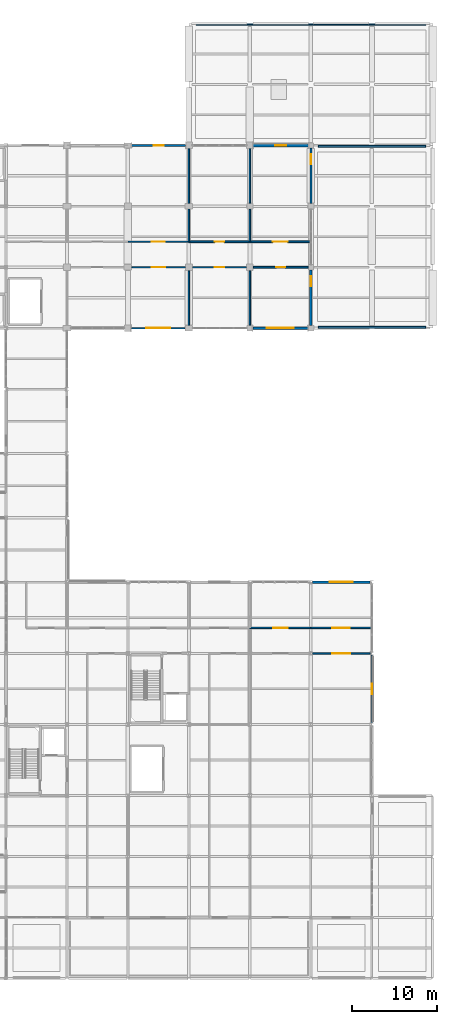
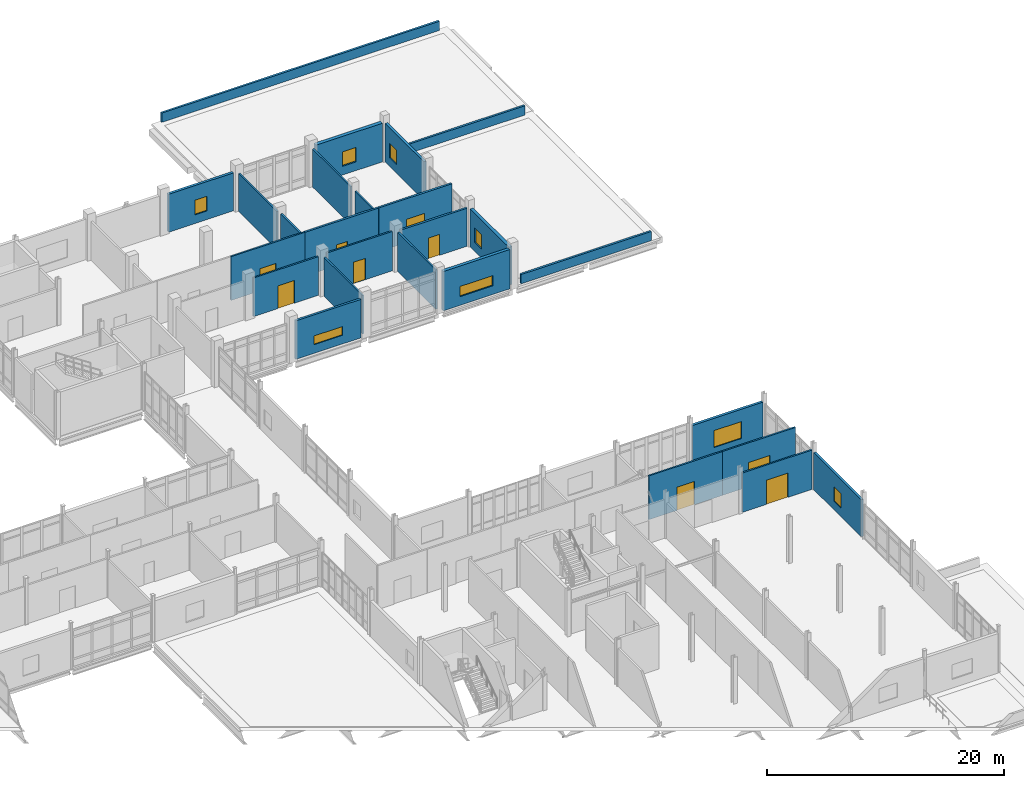
# One storey, part 168 of 186: 26 walls, 9 doors, 8 windows, 17 openings.
"""IFC4 building model written with IfcOpenShell, lengths in metres."""

from ifc_helpers import new_model, si_unit, direction, frame, frame_2d, origin, place, context, subcontext, project, spatial, rectangle, extrude, material, layer, layer_set, type_object, element, fill, save


model = new_model("IFC4")

# Units and contexts
model_context = context("Model", 3, precision=1e-05, world=origin(), true_north=direction((0.0, 1.0)))
body_context = subcontext(model_context, "Body", "Model", "MODEL_VIEW")
ifc_project = project(units=[si_unit("LENGTHUNIT", "METRE"), si_unit("AREAUNIT", "SQUARE_METRE"), si_unit("VOLUMEUNIT", "CUBIC_METRE"), si_unit("PLANEANGLEUNIT", "RADIAN"), si_unit("MASSUNIT", "GRAM", prefix="KILO")], contexts=[model_context])

# Site, building, storey
site_placement = place(None, origin())
site = spatial("IfcSite", under=ifc_project, at=site_placement, CompositionType="ELEMENT")
building_placement = place(site_placement, origin())
building = spatial("IfcBuilding", under=site, at=building_placement, Name="Calvrana Isthmian Art Gallery", CompositionType="ELEMENT")
storey_placement = place(building_placement, frame((0.0, 0.0, 5.39990234375)))
storey = spatial("IfcBuildingStorey", under=building, at=storey_placement, Name="L01", CompositionType="ELEMENT", Elevation=5.39990234375)

# Wall, opening, window
ifc_material_1 = material(Name="Precast concrete C40/50", Category="concrete")
ifc_layer_1 = layer(ifc_material_1, 0.219970703125, Name="Precast concrete C40/50")
ifc_layer_set_1 = layer_set([ifc_layer_1], Name="Precast concrete C40/50")
wall_type_1 = type_object("IfcWallType", Name="EW-ACOUST-220", PredefinedType="SOLIDWALL", material=ifc_layer_set_1)
wall_1_placement = place(storey_placement, frame((133.949951171875, 76.800048828125, 0.0), z_axis=(0.0, 0.0, 1.0), x_axis=(-1.0, 0.0, 0.0)))
wall_1 = element("IfcWall", 1, at=wall_1_placement, inside=storey, type_object=wall_type_1, Name="Exterior wall EW-078", PredefinedType="SOLIDWALL", context=body_context, shape_type="SweptSolid", body=[
    extrude(rectangle(XDim=6.349853515625, YDim=0.219970703125, at=frame_2d((3.1748046875, 0.0))), origin(), (0.0, 0.0, 1.0), 3.97119140625),
])
opening_1_placement = place(wall_1_placement, frame((1.77490234375, 0.0, 0.89990234375)))
opening_1 = element("IfcOpeningElement", 2, at=opening_1_placement, cuts=wall_1, Name="Opening W-043", PredefinedType="OPENING", context=body_context, shape_type="SweptSolid", body=[
    extrude(rectangle(XDim=2.800048828125, YDim=0.89990234375, at=frame_2d((1.39990234375, 0.449951171875))), frame((0.0, 0.1201171875, 0.0), z_axis=(0.0, -1.0, 0.0), x_axis=(1.0, 0.0, 0.0)), (0.0, 0.0, 1.0), 0.240478515625),
])
ifc_material_2 = material(Name="Low-E laminated solar glass", Category="glass")
window_type_1 = type_object("IfcWindowType", Name="WN-C04", PartitioningType="DOUBLE_PANEL_VERTICAL", PredefinedType="WINDOW", material=ifc_material_2)
window_1_placement = place(opening_1_placement, origin())
window_1 = element("IfcWindow", 3, at=window_1_placement, inside=storey, type_object=window_type_1, Name="Facade window W-043", OverallHeight=0.89990234375, OverallWidth=2.800048828125, PartitioningType="SINGLE_PANEL", PredefinedType="WINDOW", context=body_context, shape_type="SweptSolid", body=[
    extrude(rectangle(XDim=2.800048828125, YDim=0.89990234375, at=frame_2d((1.39990234375, 0.449951171875))), frame((0.0, 0.030029296875, 0.0), z_axis=(0.0, -1.0, 0.0), x_axis=(1.0, 0.0, 0.0)), (0.0, 0.0, 1.0), 0.06005859375),
])
fill(opening_1, window_1)

wall_2_placement = place(storey_placement, frame((156.0, 38.21337890625, 0.0), z_axis=(0.0, 0.0, 1.0), x_axis=(0.0, -1.0, 0.0)))
wall_2 = element("IfcWall", 4, at=wall_2_placement, inside=storey, type_object=wall_type_1, Name="Exterior wall EW-110", PredefinedType="SOLIDWALL", context=body_context, shape_type="SweptSolid", body=[
    extrude(rectangle(XDim=8.029296875, YDim=0.219970703125, at=frame_2d((4.0146484375, 0.0))), origin(), (0.0, 0.0, 1.0), 3.8271484375),
])
opening_2_placement = place(wall_2_placement, frame((3.414794921875, 0.0, 0.89990234375)))
opening_2 = element("IfcOpeningElement", 5, at=opening_2_placement, cuts=wall_2, Name="Opening W-072", PredefinedType="OPENING", context=body_context, shape_type="SweptSolid", body=[
    extrude(rectangle(XDim=1.199951171875, YDim=1.5, at=frame_2d((0.60009765625, 0.75))), frame((0.0, 0.1201171875, 0.0), z_axis=(0.0, -1.0, 0.0), x_axis=(1.0, 0.0, 0.0)), (0.0, 0.0, 1.0), 0.240478515625),
])
window_type_2 = type_object("IfcWindowType", Name="WN-G01", PartitioningType="SINGLE_PANEL", PredefinedType="WINDOW", material=ifc_material_2)
window_2_placement = place(opening_2_placement, origin())
window_2 = element("IfcWindow", 6, at=window_2_placement, inside=storey, type_object=window_type_2, Name="Facade window W-072", OverallHeight=1.5, OverallWidth=1.199951171875, PartitioningType="SINGLE_PANEL", PredefinedType="WINDOW", context=body_context, shape_type="SweptSolid", body=[
    extrude(rectangle(XDim=1.199951171875, YDim=1.5, at=frame_2d((0.60009765625, 0.75))), frame((0.0, 0.030029296875, 0.0), z_axis=(0.0, -1.0, 0.0), x_axis=(1.0, 0.0, 0.0)), (0.0, 0.0, 1.0), 0.06005859375),
])
fill(opening_2, window_2)

ifc_material_3 = material(Name="Pale Isthmian limestone", Category="masonry")
ifc_layer_2 = layer(ifc_material_3, 0.300048828125, Name="Pale Isthmian limestone")
ifc_layer_set_2 = layer_set([ifc_layer_2], Name="Pale Isthmian limestone")
wall_type_2 = type_object("IfcWallType", Name="EW-LIME-300", PredefinedType="SOLIDWALL", material=ifc_layer_set_2)
wall_3_placement = place(storey_placement, frame((148.449951171875, 76.800048828125, 0.0), z_axis=(0.0, 0.0, 1.0), x_axis=(-1.0, 0.0, 0.0)))
wall_3 = element("IfcWall", 7, at=wall_3_placement, inside=storey, type_object=wall_type_2, Name="Exterior wall EW-079", PredefinedType="SOLIDWALL", context=body_context, shape_type="SweptSolid", body=[
    extrude(rectangle(XDim=6.5, YDim=0.300048828125, at=frame_2d((3.25, 0.0))), origin(), (0.0, 0.0, 1.0), 4.05810546875),
])
opening_3_placement = place(wall_3_placement, frame((1.64990234375, 0.0, 0.89990234375)))
opening_3 = element("IfcOpeningElement", 8, at=opening_3_placement, cuts=wall_3, Name="Opening W-044", PredefinedType="OPENING", context=body_context, shape_type="SweptSolid", body=[
    extrude(rectangle(XDim=3.199951171875, YDim=1.050048828125, at=frame_2d((1.60009765625, 0.52490234375))), frame((0.0, 0.16015625, 0.0), z_axis=(0.0, -1.0, 0.0), x_axis=(1.0, 0.0, 0.0)), (0.0, 0.0, 1.0), 0.320556640625),
])
window_type_3 = type_object("IfcWindowType", Name="WN-C05", PartitioningType="DOUBLE_PANEL_VERTICAL", PredefinedType="WINDOW", material=ifc_material_2)
window_3_placement = place(opening_3_placement, origin())
window_3 = element("IfcWindow", 9, at=window_3_placement, inside=storey, type_object=window_type_3, Name="Facade window W-044", OverallHeight=1.050048828125, OverallWidth=3.199951171875, PartitioningType="SINGLE_PANEL", PredefinedType="WINDOW", context=body_context, shape_type="SweptSolid", body=[
    extrude(rectangle(XDim=3.199951171875, YDim=1.050048828125, at=frame_2d((1.60009765625, 0.52490234375))), frame((0.0, 0.030029296875, 0.0), z_axis=(0.0, -1.0, 0.0), x_axis=(1.0, 0.0, 0.0)), (0.0, 0.0, 1.0), 0.06005859375),
])
fill(opening_3, window_3)

wall_4_placement = place(storey_placement, frame((148.800048828125, 83.699951171875, 0.0), z_axis=(0.0, 0.0, 1.0), x_axis=(0.0, -1.0, 0.0)))
wall_4 = element("IfcWall", 10, at=wall_4_placement, inside=storey, type_object=wall_type_2, Name="Exterior wall EW-107", PredefinedType="SOLIDWALL", context=body_context, shape_type="SweptSolid", body=[
    extrude(rectangle(XDim=6.550048828125, YDim=0.300048828125, at=frame_2d((3.27490234375, 0.0))), origin(), (0.0, 0.0, 1.0), 3.908203125),
])
opening_4_placement = place(wall_4_placement, frame((0.75, 0.0, 0.89990234375)))
opening_4 = element("IfcOpeningElement", 11, at=opening_4_placement, cuts=wall_4, Name="Opening W-069", PredefinedType="OPENING", context=body_context, shape_type="SweptSolid", body=[
    extrude(rectangle(XDim=1.199951171875, YDim=1.5, at=frame_2d((0.60009765625, 0.75))), frame((0.0, 0.16015625, 0.0), z_axis=(0.0, -1.0, 0.0), x_axis=(1.0, 0.0, 0.0)), (0.0, 0.0, 1.0), 0.320556640625),
])
window_4_placement = place(opening_4_placement, origin())
window_4 = element("IfcWindow", 12, at=window_4_placement, inside=storey, type_object=window_type_2, Name="Facade window W-069", OverallHeight=1.5, OverallWidth=1.199951171875, PartitioningType="SINGLE_PANEL", PredefinedType="WINDOW", context=body_context, shape_type="SweptSolid", body=[
    extrude(rectangle(XDim=1.199951171875, YDim=1.5, at=frame_2d((0.60009765625, 0.75))), frame((0.0, 0.030029296875, 0.0), z_axis=(0.0, -1.0, 0.0), x_axis=(1.0, 0.0, 0.0)), (0.0, 0.0, 1.0), 0.06005859375),
])
fill(opening_4, window_4)

ifc_layer_3 = layer(ifc_material_1, 0.35009765625, Name="Precast concrete C40/50")
ifc_layer_set_3 = layer_set([ifc_layer_3], Name="Precast concrete C40/50")
wall_type_3 = type_object("IfcWallType", Name="EW-PREC-350", PredefinedType="SOLIDWALL", material=ifc_layer_set_3)
wall_5_placement = place(storey_placement, frame((142.0, 98.39990234375, 0.0), z_axis=(0.0, 0.0, 1.0), x_axis=(1.0, 0.0, 0.0)))
wall_5 = element("IfcWall", 13, at=wall_5_placement, inside=storey, type_object=wall_type_3, Name="Exterior wall EW-085", PredefinedType="SOLIDWALL", context=body_context, shape_type="SweptSolid", body=[
    extrude(rectangle(XDim=6.5, YDim=0.35009765625, at=frame_2d((3.25, 0.0))), origin(), (0.0, 0.0, 1.0), 3.987060546875),
])
opening_5_placement = place(wall_5_placement, frame((2.574951171875, 0.0, 0.89990234375)))
opening_5 = element("IfcOpeningElement", 14, at=opening_5_placement, cuts=wall_5, Name="Opening W-049", PredefinedType="OPENING", context=body_context, shape_type="SweptSolid", body=[
    extrude(rectangle(XDim=1.35009765625, YDim=1.5, at=frame_2d((0.675048828125, 0.75))), frame((0.0, 0.185302734375, 0.0), z_axis=(0.0, -1.0, 0.0), x_axis=(1.0, 0.0, 0.0)), (0.0, 0.0, 1.0), 0.37060546875),
])
window_type_4 = type_object("IfcWindowType", Name="WN-G02", PartitioningType="SINGLE_PANEL", PredefinedType="WINDOW", material=ifc_material_2)
window_5_placement = place(opening_5_placement, origin())
window_5 = element("IfcWindow", 15, at=window_5_placement, inside=storey, type_object=window_type_4, Name="Facade window W-049", OverallHeight=1.5, OverallWidth=1.35009765625, PartitioningType="SINGLE_PANEL", PredefinedType="WINDOW", context=body_context, shape_type="SweptSolid", body=[
    extrude(rectangle(XDim=1.35009765625, YDim=1.5, at=frame_2d((0.675048828125, 0.75))), frame((0.0, 0.030029296875, 0.0), z_axis=(0.0, -1.0, 0.0), x_axis=(1.0, 0.0, 0.0)), (0.0, 0.0, 1.0), 0.06005859375),
])
fill(opening_5, window_5)

ifc_material_4 = material(Name="Polychrome glazed terracotta", Category="masonry")
ifc_layer_4 = layer(ifc_material_4, 0.25, Name="Polychrome glazed terracotta")
ifc_layer_set_4 = layer_set([ifc_layer_4], Name="Polychrome glazed terracotta")
wall_type_4 = type_object("IfcWallType", Name="EW-TERRA-250", PredefinedType="SOLIDWALL", material=ifc_layer_set_4)
wall_6_placement = place(storey_placement, frame((148.985595703125, 46.800048828125, 0.0), z_axis=(0.0, 0.0, 1.0), x_axis=(1.0, 0.0, 0.0)))
wall_6 = element("IfcWall", 16, at=wall_6_placement, inside=storey, type_object=wall_type_4, Name="Exterior wall EW-072", PredefinedType="SOLIDWALL", context=body_context, shape_type="SweptSolid", body=[
    extrude(rectangle(XDim=6.830322265625, YDim=0.25, at=frame_2d((3.4150390625, 0.0))), origin(), (0.0, 0.0, 1.0), 3.9130859375),
])
opening_6_placement = place(wall_6_placement, frame((2.065185546875, 0.0, 0.89990234375)))
opening_6 = element("IfcOpeningElement", 17, at=opening_6_placement, cuts=wall_6, Name="Opening W-037", PredefinedType="OPENING", context=body_context, shape_type="SweptSolid", body=[
    extrude(rectangle(XDim=2.699951171875, YDim=1.75, at=frame_2d((1.35009765625, 0.875))), frame((0.0, 0.13525390625, 0.0), z_axis=(0.0, -1.0, 0.0), x_axis=(1.0, 0.0, 0.0)), (0.0, 0.0, 1.0), 0.2705078125),
])
window_type_5 = type_object("IfcWindowType", Name="WN-G14", PartitioningType="DOUBLE_PANEL_VERTICAL", PredefinedType="WINDOW", material=ifc_material_2)
window_6_placement = place(opening_6_placement, origin())
window_6 = element("IfcWindow", 18, at=window_6_placement, inside=storey, type_object=window_type_5, Name="Facade window W-037", OverallHeight=1.75, OverallWidth=2.699951171875, PartitioningType="SINGLE_PANEL", PredefinedType="WINDOW", context=body_context, shape_type="SweptSolid", body=[
    extrude(rectangle(XDim=2.699951171875, YDim=1.75, at=frame_2d((1.35009765625, 0.875))), frame((0.0, 0.030029296875, 0.0), z_axis=(0.0, -1.0, 0.0), x_axis=(1.0, 0.0, 0.0)), (0.0, 0.0, 1.0), 0.06005859375),
])
fill(opening_6, window_6)

wall_7_placement = place(storey_placement, frame((127.64990234375, 98.39990234375, 0.0), z_axis=(0.0, 0.0, 1.0), x_axis=(1.0, 0.0, 0.0)))
wall_7 = element("IfcWall", 19, at=wall_7_placement, inside=storey, type_object=wall_type_4, Name="Exterior wall EW-084", PredefinedType="SOLIDWALL", context=body_context, shape_type="SweptSolid", body=[
    extrude(rectangle(XDim=6.35009765625, YDim=0.25, at=frame_2d((3.175048828125, 0.0))), origin(), (0.0, 0.0, 1.0), 3.9130859375),
])
opening_7_placement = place(wall_7_placement, frame((2.574951171875, 0.0, 0.89990234375)))
opening_7 = element("IfcOpeningElement", 20, at=opening_7_placement, cuts=wall_7, Name="Opening W-048", PredefinedType="OPENING", context=body_context, shape_type="SweptSolid", body=[
    extrude(rectangle(XDim=1.199951171875, YDim=1.5, at=frame_2d((0.60009765625, 0.75))), frame((0.0, 0.13525390625, 0.0), z_axis=(0.0, -1.0, 0.0), x_axis=(1.0, 0.0, 0.0)), (0.0, 0.0, 1.0), 0.2705078125),
])
window_7_placement = place(opening_7_placement, origin())
window_7 = element("IfcWindow", 21, at=window_7_placement, inside=storey, type_object=window_type_2, Name="Facade window W-048", OverallHeight=1.5, OverallWidth=1.199951171875, PartitioningType="SINGLE_PANEL", PredefinedType="WINDOW", context=body_context, shape_type="SweptSolid", body=[
    extrude(rectangle(XDim=1.199951171875, YDim=1.5, at=frame_2d((0.60009765625, 0.75))), frame((0.0, 0.030029296875, 0.0), z_axis=(0.0, -1.0, 0.0), x_axis=(1.0, 0.0, 0.0)), (0.0, 0.0, 1.0), 0.06005859375),
])
fill(opening_7, window_7)

wall_8_placement = place(storey_placement, frame((148.800048828125, 98.10009765625, 0.0), z_axis=(0.0, 0.0, 1.0), x_axis=(0.0, -1.0, 0.0)))
wall_8 = element("IfcWall", 22, at=wall_8_placement, inside=storey, type_object=wall_type_4, Name="Exterior wall EW-108", PredefinedType="SOLIDWALL", context=body_context, shape_type="SweptSolid", body=[
    extrude(rectangle(XDim=6.550048828125, YDim=0.25, at=frame_2d((3.27490234375, 0.0))), origin(), (0.0, 0.0, 1.0), 3.987060546875),
])
opening_8_placement = place(wall_8_placement, frame((0.75, 0.0, 0.89990234375)))
opening_8 = element("IfcOpeningElement", 23, at=opening_8_placement, cuts=wall_8, Name="Opening W-070", PredefinedType="OPENING", context=body_context, shape_type="SweptSolid", body=[
    extrude(rectangle(XDim=1.199951171875, YDim=1.5, at=frame_2d((0.60009765625, 0.75))), frame((0.0, 0.13525390625, 0.0), z_axis=(0.0, -1.0, 0.0), x_axis=(1.0, 0.0, 0.0)), (0.0, 0.0, 1.0), 0.2705078125),
])
window_8_placement = place(opening_8_placement, origin())
window_8 = element("IfcWindow", 24, at=window_8_placement, inside=storey, type_object=window_type_2, Name="Facade window W-070", OverallHeight=1.5, OverallWidth=1.199951171875, PartitioningType="SINGLE_PANEL", PredefinedType="WINDOW", context=body_context, shape_type="SweptSolid", body=[
    extrude(rectangle(XDim=1.199951171875, YDim=1.5, at=frame_2d((0.60009765625, 0.75))), frame((0.0, 0.030029296875, 0.0), z_axis=(0.0, -1.0, 0.0), x_axis=(1.0, 0.0, 0.0)), (0.0, 0.0, 1.0), 0.06005859375),
])
fill(opening_8, window_8)

# Wall, opening, door
ifc_material_5 = material(Name="Acoustic gypsum ceiling", Category="gypsum")
ifc_layer_5 = layer(ifc_material_5, 0.199951171875, Name="Acoustic gypsum ceiling")
ifc_layer_set_5 = layer_set([ifc_layer_5], Name="Acoustic gypsum ceiling")
wall_type_5 = type_object("IfcWallType", Name="PW-FIRE-200", PredefinedType="PARTITIONING", material=ifc_layer_set_5)
wall_9_placement = place(storey_placement, frame((142.014892578125, 84.0, 0.0), z_axis=(0.0, 0.0, 1.0), x_axis=(1.0, 0.0, 0.0)))
wall_9 = element("IfcWall", 25, at=wall_9_placement, inside=storey, type_object=wall_type_5, Name="Interior partition PW-413", PredefinedType="PARTITIONING", context=body_context, shape_type="SweptSolid", body=[
    extrude(rectangle(XDim=6.47021484375, YDim=0.199951171875, at=frame_2d((3.235107421875, 0.0))), origin(), (0.0, 0.0, 1.0), 3.9130859375),
])
opening_9_placement = place(wall_9_placement, frame((2.68505859375, 0.0, 0.0)))
opening_9 = element("IfcOpeningElement", 26, at=opening_9_placement, cuts=wall_9, Name="Opening D-408", PredefinedType="OPENING", context=body_context, shape_type="SweptSolid", body=[
    extrude(rectangle(XDim=1.10009765625, YDim=2.14990234375, at=frame_2d((0.550048828125, 1.074951171875))), frame((0.0, 0.1103515625, 0.0), z_axis=(0.0, -1.0, 0.0), x_axis=(1.0, 0.0, 0.0)), (0.0, 0.0, 1.0), 0.220458984375),
])
ifc_material_6 = material(Name="Steel ASTM A572 Gr 50", Category="steel")
door_type_1 = type_object("IfcDoorType", Name="DR-FIRE-1100", OperationType="NOTDEFINED", PredefinedType="DOOR", material=ifc_material_6)
door_1_placement = place(opening_9_placement, origin())
door_1 = element("IfcDoor", 27, at=door_1_placement, inside=storey, type_object=door_type_1, Name="Interior door D-408", OperationType="SINGLE_SWING_RIGHT", OverallHeight=2.14990234375, OverallWidth=1.10009765625, PredefinedType="DOOR", context=body_context, shape_type="SweptSolid", body=[
    extrude(rectangle(XDim=1.10009765625, YDim=2.14990234375, at=frame_2d((0.550048828125, 1.074951171875))), frame((0.0, 0.02490234375, 0.0), z_axis=(0.0, -1.0, 0.0), x_axis=(1.0, 0.0, 0.0)), (0.0, 0.0, 1.0), 0.050048828125),
])
fill(opening_9, door_1)

wall_10_placement = place(storey_placement, frame((134.409912109375, 87.010009765625, 0.0), z_axis=(0.0, 0.0, 1.0), x_axis=(1.0, 0.0, 0.0)))
wall_10 = element("IfcWall", 28, at=wall_10_placement, inside=storey, type_object=wall_type_5, Name="Interior partition PW-421", PredefinedType="PARTITIONING", context=body_context, shape_type="SweptSolid", body=[
    extrude(rectangle(XDim=7.18017578125, YDim=0.199951171875, at=frame_2d((3.590087890625, 0.0))), origin(), (0.0, 0.0, 1.0), 4.52001953125),
])
opening_10_placement = place(wall_10_placement, frame((3.0400390625, 0.0, 0.0)))
opening_10 = element("IfcOpeningElement", 29, at=opening_10_placement, cuts=wall_10, Name="Opening D-412", PredefinedType="OPENING", context=body_context, shape_type="SweptSolid", body=[
    extrude(rectangle(XDim=1.10009765625, YDim=2.14990234375, at=frame_2d((0.550048828125, 1.074951171875))), frame((0.0, 0.1103515625, 0.0), z_axis=(0.0, -1.0, 0.0), x_axis=(1.0, 0.0, 0.0)), (0.0, 0.0, 1.0), 0.220458984375),
])
door_2_placement = place(opening_10_placement, origin())
door_2 = element("IfcDoor", 30, at=door_2_placement, inside=storey, type_object=door_type_1, Name="Interior door D-412", OperationType="SINGLE_SWING_LEFT", OverallHeight=2.14990234375, OverallWidth=1.10009765625, PredefinedType="DOOR", context=body_context, shape_type="SweptSolid", body=[
    extrude(rectangle(XDim=1.10009765625, YDim=2.14990234375, at=frame_2d((0.550048828125, 1.074951171875))), frame((0.0, 0.02490234375, 0.0), z_axis=(0.0, -1.0, 0.0), x_axis=(1.0, 0.0, 0.0)), (0.0, 0.0, 1.0), 0.050048828125),
])
fill(opening_10, door_2)

wall_11_placement = place(storey_placement, frame((141.610107421875, 87.010009765625, 0.0), z_axis=(0.0, 0.0, 1.0), x_axis=(1.0, 0.0, 0.0)))
wall_11 = element("IfcWall", 31, at=wall_11_placement, inside=storey, type_object=wall_type_5, Name="Interior partition PW-424", PredefinedType="PARTITIONING", context=body_context, shape_type="SweptSolid", body=[
    extrude(rectangle(XDim=7.1298828125, YDim=0.199951171875, at=frame_2d((3.56494140625, 0.0))), origin(), (0.0, 0.0, 1.0), 4.52001953125),
])
opening_11_placement = place(wall_11_placement, frame((2.6650390625, 0.0, 0.0)))
opening_11 = element("IfcOpeningElement", 32, at=opening_11_placement, cuts=wall_11, Name="Opening D-413", PredefinedType="OPENING", context=body_context, shape_type="SweptSolid", body=[
    extrude(rectangle(XDim=1.800048828125, YDim=2.39990234375, at=frame_2d((0.89990234375, 1.199951171875))), frame((0.0, 0.1103515625, 0.0), z_axis=(0.0, -1.0, 0.0), x_axis=(1.0, 0.0, 0.0)), (0.0, 0.0, 1.0), 0.220458984375),
])
door_type_2 = type_object("IfcDoorType", Name="DR-VAULT-1800", OperationType="DOUBLE_DOOR_SINGLE_SWING", PredefinedType="DOOR", material=ifc_material_6)
door_3_placement = place(opening_11_placement, origin())
door_3 = element("IfcDoor", 33, at=door_3_placement, inside=storey, type_object=door_type_2, Name="Interior door D-413", OperationType="DOUBLE_DOOR_SINGLE_SWING", OverallHeight=2.39990234375, OverallWidth=1.800048828125, PredefinedType="DOOR", context=body_context, shape_type="SweptSolid", body=[
    extrude(rectangle(XDim=1.800048828125, YDim=2.39990234375, at=frame_2d((0.89990234375, 1.199951171875))), frame((0.0, 0.02490234375, 0.0), z_axis=(0.0, -1.0, 0.0), x_axis=(1.0, 0.0, 0.0)), (0.0, 0.0, 1.0), 0.050048828125),
])
fill(opening_11, door_3)

ifc_layer_6 = layer(ifc_material_5, 0.159912109375, Name="Acoustic gypsum ceiling")
ifc_layer_set_6 = layer_set([ifc_layer_6], Name="Acoustic gypsum ceiling")
wall_type_6 = type_object("IfcWallType", Name="PW-GAL-160", PredefinedType="PARTITIONING", material=ifc_layer_set_6)
wall_12_placement = place(storey_placement, frame((148.9990234375, 38.39990234375, 0.0), z_axis=(0.0, 0.0, 1.0), x_axis=(1.0, 0.0, 0.0)))
wall_12 = element("IfcWall", 34, at=wall_12_placement, inside=storey, type_object=wall_type_6, Name="Interior partition PW-396", PredefinedType="PARTITIONING", context=body_context, shape_type="SweptSolid", body=[
    extrude(rectangle(XDim=6.799560546875, YDim=0.159912109375, at=frame_2d((3.39990234375, 0.0))), origin(), (0.0, 0.0, 1.0), 4.05810546875),
])
opening_12_placement = place(wall_12_placement, frame((2.349609375, 0.0, 0.0)))
opening_12 = element("IfcOpeningElement", 35, at=opening_12_placement, cuts=wall_12, Name="Opening D-398", PredefinedType="OPENING", context=body_context, shape_type="SweptSolid", body=[
    extrude(rectangle(XDim=2.10009765625, YDim=2.5, at=frame_2d((1.050048828125, 1.25))), frame((0.0, 0.09033203125, 0.0), z_axis=(0.0, -1.0, 0.0), x_axis=(1.0, 0.0, 0.0)), (0.0, 0.0, 1.0), 0.180419921875),
])
ifc_material_7 = material(Name="Timber gallery flooring", Category="wood")
door_type_3 = type_object("IfcDoorType", Name="DR-GAL-2100", OperationType="DOUBLE_DOOR_SINGLE_SWING", PredefinedType="DOOR", material=ifc_material_7)
door_4_placement = place(opening_12_placement, origin())
door_4 = element("IfcDoor", 36, at=door_4_placement, inside=storey, type_object=door_type_3, Name="Interior door D-398", OperationType="DOUBLE_DOOR_SINGLE_SWING", OverallHeight=2.5, OverallWidth=2.10009765625, PredefinedType="DOOR", context=body_context, shape_type="SweptSolid", body=[
    extrude(rectangle(XDim=2.10009765625, YDim=2.5, at=frame_2d((1.050048828125, 1.25))), frame((0.0, 0.02490234375, 0.0), z_axis=(0.0, -1.0, 0.0), x_axis=(1.0, 0.0, 0.0)), (0.0, 0.0, 1.0), 0.050048828125),
])
fill(opening_12, door_4)

wall_13_placement = place(storey_placement, frame((141.610107421875, 41.409912109375, 0.0), z_axis=(0.0, 0.0, 1.0), x_axis=(1.0, 0.0, 0.0)))
wall_13 = element("IfcWall", 37, at=wall_13_placement, inside=storey, type_object=wall_type_6, Name="Interior partition PW-405", PredefinedType="PARTITIONING", context=body_context, shape_type="SweptSolid", body=[
    extrude(rectangle(XDim=7.179931640625, YDim=0.159912109375, at=frame_2d((3.58984375, 0.0))), origin(), (0.0, 0.0, 1.0), 4.52001953125),
])
opening_13_placement = place(wall_13_placement, frame((2.739990234375, 0.0, 0.0)))
opening_13 = element("IfcOpeningElement", 38, at=opening_13_placement, cuts=wall_13, Name="Opening D-403", PredefinedType="OPENING", context=body_context, shape_type="SweptSolid", body=[
    extrude(rectangle(XDim=1.699951171875, YDim=2.39990234375, at=frame_2d((0.85009765625, 1.199951171875))), frame((0.0, 0.09033203125, 0.0), z_axis=(0.0, -1.0, 0.0), x_axis=(1.0, 0.0, 0.0)), (0.0, 0.0, 1.0), 0.180419921875),
])
door_type_4 = type_object("IfcDoorType", Name="DR-GAL-1700", OperationType="DOUBLE_DOOR_SINGLE_SWING", PredefinedType="DOOR", material=ifc_material_7)
door_5_placement = place(opening_13_placement, origin())
door_5 = element("IfcDoor", 39, at=door_5_placement, inside=storey, type_object=door_type_4, Name="Interior door D-403", OperationType="DOUBLE_DOOR_SINGLE_SWING", OverallHeight=2.39990234375, OverallWidth=1.699951171875, PredefinedType="DOOR", context=body_context, shape_type="SweptSolid", body=[
    extrude(rectangle(XDim=1.699951171875, YDim=2.39990234375, at=frame_2d((0.85009765625, 1.199951171875))), frame((0.0, 0.02490234375, 0.0), z_axis=(0.0, -1.0, 0.0), x_axis=(1.0, 0.0, 0.0)), (0.0, 0.0, 1.0), 0.050048828125),
])
fill(opening_13, door_5)

wall_14_placement = place(storey_placement, frame((148.81005859375, 41.409912109375, 0.0), z_axis=(0.0, 0.0, 1.0), x_axis=(1.0, 0.0, 0.0)))
wall_14 = element("IfcWall", 40, at=wall_14_placement, inside=storey, type_object=wall_type_6, Name="Interior partition PW-406", PredefinedType="PARTITIONING", context=body_context, shape_type="SweptSolid", body=[
    extrude(rectangle(XDim=7.1298828125, YDim=0.159912109375, at=frame_2d((3.56494140625, 0.0))), origin(), (0.0, 0.0, 1.0), 4.52001953125),
])
opening_14_placement = place(wall_14_placement, frame((2.514892578125, 0.0, 0.0)))
opening_14 = element("IfcOpeningElement", 41, at=opening_14_placement, cuts=wall_14, Name="Opening D-404", PredefinedType="OPENING", context=body_context, shape_type="SweptSolid", body=[
    extrude(rectangle(XDim=2.10009765625, YDim=2.5, at=frame_2d((1.050048828125, 1.25))), frame((0.0, 0.09033203125, 0.0), z_axis=(0.0, -1.0, 0.0), x_axis=(1.0, 0.0, 0.0)), (0.0, 0.0, 1.0), 0.180419921875),
])
door_6_placement = place(opening_14_placement, origin())
door_6 = element("IfcDoor", 42, at=door_6_placement, inside=storey, type_object=door_type_3, Name="Interior door D-404", OperationType="DOUBLE_DOOR_SINGLE_SWING", OverallHeight=2.5, OverallWidth=2.10009765625, PredefinedType="DOOR", context=body_context, shape_type="SweptSolid", body=[
    extrude(rectangle(XDim=2.10009765625, YDim=2.5, at=frame_2d((1.050048828125, 1.25))), frame((0.0, 0.02490234375, 0.0), z_axis=(0.0, -1.0, 0.0), x_axis=(1.0, 0.0, 0.0)), (0.0, 0.0, 1.0), 0.050048828125),
])
fill(opening_14, door_6)

wall_15_placement = place(storey_placement, frame((127.6650390625, 84.0, 0.0), z_axis=(0.0, 0.0, 1.0), x_axis=(1.0, 0.0, 0.0)))
wall_15 = element("IfcWall", 43, at=wall_15_placement, inside=storey, type_object=wall_type_6, Name="Interior partition PW-409", PredefinedType="PARTITIONING", context=body_context, shape_type="SweptSolid", body=[
    extrude(rectangle(XDim=6.320068359375, YDim=0.159912109375, at=frame_2d((3.16015625, 0.0))), origin(), (0.0, 0.0, 1.0), 3.987060546875),
])
opening_15_placement = place(wall_15_placement, frame((2.360107421875, 0.0, 0.0)))
opening_15 = element("IfcOpeningElement", 44, at=opening_15_placement, cuts=wall_15, Name="Opening D-406", PredefinedType="OPENING", context=body_context, shape_type="SweptSolid", body=[
    extrude(rectangle(XDim=1.60009765625, YDim=2.35009765625, at=frame_2d((0.800048828125, 1.175048828125))), frame((0.0, 0.09033203125, 0.0), z_axis=(0.0, -1.0, 0.0), x_axis=(1.0, 0.0, 0.0)), (0.0, 0.0, 1.0), 0.180419921875),
])
door_type_5 = type_object("IfcDoorType", Name="DR-GAL-1600", OperationType="DOUBLE_DOOR_SINGLE_SWING", PredefinedType="DOOR", material=ifc_material_7)
door_7_placement = place(opening_15_placement, origin())
door_7 = element("IfcDoor", 45, at=door_7_placement, inside=storey, type_object=door_type_5, Name="Interior door D-406", OperationType="DOUBLE_DOOR_SINGLE_SWING", OverallHeight=2.35009765625, OverallWidth=1.60009765625, PredefinedType="DOOR", context=body_context, shape_type="SweptSolid", body=[
    extrude(rectangle(XDim=1.60009765625, YDim=2.35009765625, at=frame_2d((0.800048828125, 1.175048828125))), frame((0.0, 0.02490234375, 0.0), z_axis=(0.0, -1.0, 0.0), x_axis=(1.0, 0.0, 0.0)), (0.0, 0.0, 1.0), 0.050048828125),
])
fill(opening_15, door_7)

# Wall
wall_16_placement = place(storey_placement, frame((134.39990234375, 77.114990234375, 0.0), z_axis=(0.0, 0.0, 1.0), x_axis=(0.0, 1.0, 0.0)))
element("IfcWall", 46, at=wall_16_placement, inside=storey, type_object=wall_type_6, Name="Interior partition PW-410", PredefinedType="PARTITIONING", context=body_context, shape_type="SweptSolid", body=[
    extrude(rectangle(XDim=6.469970703125, YDim=0.159912109375, at=frame_2d((3.23486328125, 0.0))), origin(), (0.0, 0.0, 1.0), 3.987060546875),
])

# Wall, opening, door
wall_17_placement = place(storey_placement, frame((134.81494140625, 84.0, 0.0), z_axis=(0.0, 0.0, 1.0), x_axis=(1.0, 0.0, 0.0)))
wall_17 = element("IfcWall", 47, at=wall_17_placement, inside=storey, type_object=wall_type_6, Name="Interior partition PW-411", PredefinedType="PARTITIONING", context=body_context, shape_type="SweptSolid", body=[
    extrude(rectangle(XDim=6.3701171875, YDim=0.159912109375, at=frame_2d((3.18505859375, 0.0))), origin(), (0.0, 0.0, 1.0), 4.05810546875),
])
opening_16_placement = place(wall_17_placement, frame((2.610107421875, 0.0, 0.0)))
opening_16 = element("IfcOpeningElement", 48, at=opening_16_placement, cuts=wall_17, Name="Opening D-407", PredefinedType="OPENING", context=body_context, shape_type="SweptSolid", body=[
    extrude(rectangle(XDim=1.14990234375, YDim=2.199951171875, at=frame_2d((0.574951171875, 1.10009765625))), frame((0.0, 0.09033203125, 0.0), z_axis=(0.0, -1.0, 0.0), x_axis=(1.0, 0.0, 0.0)), (0.0, 0.0, 1.0), 0.180419921875),
])
door_type_6 = type_object("IfcDoorType", Name="DR-RM-1150", OperationType="NOTDEFINED", PredefinedType="DOOR", material=ifc_material_7)
door_8_placement = place(opening_16_placement, origin())
door_8 = element("IfcDoor", 49, at=door_8_placement, inside=storey, type_object=door_type_6, Name="Interior door D-407", OperationType="SINGLE_SWING_LEFT", OverallHeight=2.199951171875, OverallWidth=1.14990234375, PredefinedType="DOOR", context=body_context, shape_type="SweptSolid", body=[
    extrude(rectangle(XDim=1.14990234375, YDim=2.199951171875, at=frame_2d((0.574951171875, 1.10009765625))), frame((0.0, 0.02490234375, 0.0), z_axis=(0.0, -1.0, 0.0), x_axis=(1.0, 0.0, 0.0)), (0.0, 0.0, 1.0), 0.050048828125),
])
fill(opening_16, door_8)

# Wall
wall_18_placement = place(storey_placement, frame((141.60009765625, 77.1650390625, 0.0), z_axis=(0.0, 0.0, 1.0), x_axis=(0.0, 1.0, 0.0)))
element("IfcWall", 50, at=wall_18_placement, inside=storey, type_object=wall_type_6, Name="Interior partition PW-412", PredefinedType="PARTITIONING", context=body_context, shape_type="SweptSolid", body=[
    extrude(rectangle(XDim=6.419921875, YDim=0.159912109375, at=frame_2d((3.2099609375, 0.0))), origin(), (0.0, 0.0, 1.0), 4.05810546875),
])

# Wall, opening, door
wall_19_placement = place(storey_placement, frame((127.2099609375, 87.010009765625, 0.0), z_axis=(0.0, 0.0, 1.0), x_axis=(1.0, 0.0, 0.0)))
wall_19 = element("IfcWall", 51, at=wall_19_placement, inside=storey, type_object=wall_type_6, Name="Interior partition PW-418", PredefinedType="PARTITIONING", context=body_context, shape_type="SweptSolid", body=[
    extrude(rectangle(XDim=7.179931640625, YDim=0.159912109375, at=frame_2d((3.58984375, 0.0))), origin(), (0.0, 0.0, 1.0), 4.52001953125),
])
opening_17_placement = place(wall_19_placement, frame((2.81494140625, 0.0, 0.0)))
opening_17 = element("IfcOpeningElement", 52, at=opening_17_placement, cuts=wall_19, Name="Opening D-411", PredefinedType="OPENING", context=body_context, shape_type="SweptSolid", body=[
    extrude(rectangle(XDim=1.550048828125, YDim=2.300048828125, at=frame_2d((0.77490234375, 1.14990234375))), frame((0.0, 0.09033203125, 0.0), z_axis=(0.0, -1.0, 0.0), x_axis=(1.0, 0.0, 0.0)), (0.0, 0.0, 1.0), 0.180419921875),
])
door_type_7 = type_object("IfcDoorType", Name="DR-AUD-1550", OperationType="DOUBLE_DOOR_SINGLE_SWING", PredefinedType="DOOR", material=ifc_material_7)
door_9_placement = place(opening_17_placement, origin())
door_9 = element("IfcDoor", 53, at=door_9_placement, inside=storey, type_object=door_type_7, Name="Interior door D-411", OperationType="DOUBLE_DOOR_SINGLE_SWING", OverallHeight=2.300048828125, OverallWidth=1.550048828125, PredefinedType="DOOR", context=body_context, shape_type="SweptSolid", body=[
    extrude(rectangle(XDim=1.550048828125, YDim=2.300048828125, at=frame_2d((0.77490234375, 1.14990234375))), frame((0.0, 0.02490234375, 0.0), z_axis=(0.0, -1.0, 0.0), x_axis=(1.0, 0.0, 0.0)), (0.0, 0.0, 1.0), 0.050048828125),
])
fill(opening_17, door_9)

# Walls
wall_20_placement = place(storey_placement, frame((134.39990234375, 87.02001953125, 0.0), z_axis=(0.0, 0.0, 1.0), x_axis=(0.0, 1.0, 0.0)))
element("IfcWall", 54, at=wall_20_placement, inside=storey, type_object=wall_type_6, Name="Interior partition PW-419", PredefinedType="PARTITIONING", context=body_context, shape_type="SweptSolid", body=[
    extrude(rectangle(XDim=3.864990234375, YDim=0.159912109375, at=frame_2d((1.9326171875, 0.0))), origin(), (0.0, 0.0, 1.0), 4.05810546875),
])
wall_21_placement = place(storey_placement, frame((134.39990234375, 91.514892578125, 0.0), z_axis=(0.0, 0.0, 1.0), x_axis=(0.0, 1.0, 0.0)))
element("IfcWall", 55, at=wall_21_placement, inside=storey, type_object=wall_type_6, Name="Interior partition PW-420", PredefinedType="PARTITIONING", context=body_context, shape_type="SweptSolid", body=[
    extrude(rectangle(XDim=6.47021484375, YDim=0.159912109375, at=frame_2d((3.235107421875, 0.0))), origin(), (0.0, 0.0, 1.0), 3.908203125),
])
wall_22_placement = place(storey_placement, frame((141.60009765625, 87.02001953125, 0.0), z_axis=(0.0, 0.0, 1.0), x_axis=(0.0, 1.0, 0.0)))
element("IfcWall", 56, at=wall_22_placement, inside=storey, type_object=wall_type_6, Name="Interior partition PW-422", PredefinedType="PARTITIONING", context=body_context, shape_type="SweptSolid", body=[
    extrude(rectangle(XDim=3.81494140625, YDim=0.159912109375, at=frame_2d((1.907470703125, 0.0))), origin(), (0.0, 0.0, 1.0), 3.908203125),
])
wall_23_placement = place(storey_placement, frame((141.60009765625, 91.56494140625, 0.0), z_axis=(0.0, 0.0, 1.0), x_axis=(0.0, 1.0, 0.0)))
element("IfcWall", 57, at=wall_23_placement, inside=storey, type_object=wall_type_6, Name="Interior partition PW-423", PredefinedType="PARTITIONING", context=body_context, shape_type="SweptSolid", body=[
    extrude(rectangle(XDim=6.420166015625, YDim=0.159912109375, at=frame_2d((3.2099609375, 0.0))), origin(), (0.0, 0.0, 1.0), 3.9130859375),
])
ifc_layer_7 = layer(ifc_material_3, 0.199951171875, Name="Pale Isthmian limestone")
ifc_layer_set_7 = layer_set([ifc_layer_7], Name="Pale Isthmian limestone")
wall_type_7 = type_object("IfcWallType", Name="WL-PARA-200", PredefinedType="PARAPET", material=ifc_layer_set_7)
for number, where, z_axis, x_axis, name in (
    (58, (149.64990234375, 76.919921875, 0.0), (0.0, 0.0, 1.0), (1.0, 0.0, 0.0), "Roof parapet WP-10"),
    (59, (149.64990234375, 98.280029296875, 0.0), (0.0, 0.0, 1.0), (1.0, 0.0, 0.0), "Roof parapet WP-11"),
):
    element("IfcWall", number, at=place(storey_placement, frame(where, z_axis=z_axis, x_axis=x_axis)), inside=storey, type_object=wall_type_7, Name=name, PredefinedType="PARAPET", context=body_context, shape_type="SweptSolid", body=[
        extrude(rectangle(XDim=12.7001953125, YDim=0.199951171875, at=frame_2d((6.35009765625, 0.0))), origin(), (0.0, 0.0, 1.0), 0.9501953125),
    ])
wall_24_placement = place(storey_placement, frame((135.25, 112.679931640625, 0.0), z_axis=(0.0, 0.0, 1.0), x_axis=(1.0, 0.0, 0.0)))
element("IfcWall", 60, at=wall_24_placement, inside=storey, type_object=wall_type_7, Name="Roof parapet WP-12", PredefinedType="PARAPET", context=body_context, shape_type="SweptSolid", body=[
    extrude(rectangle(XDim=27.10009765625, YDim=0.199951171875, at=frame_2d((13.550048828125, 0.0))), origin(), (0.0, 0.0, 1.0), 0.9501953125),
])

save(model, "model.ifc")
